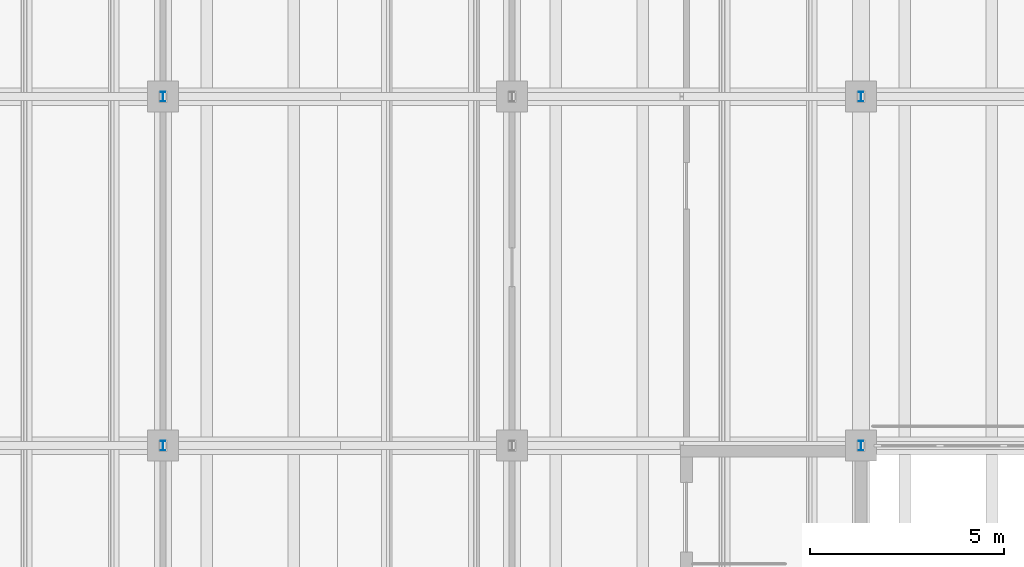
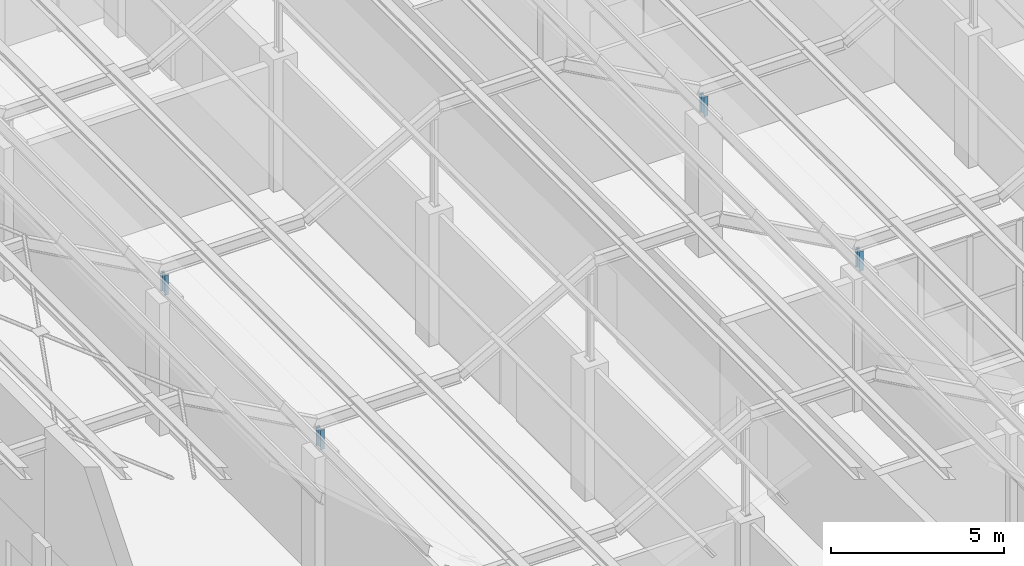
# One storey, part 225 of 437: 4 members.
"""IFC4 building model written with IfcOpenShell, lengths in metres."""

from ifc_helpers import new_model, si_unit, direction, frame, origin, origin_2d, place, context, subcontext, project, spatial, i_section, extrude, material, material_profile, profile_set, type_object, element, save


model = new_model("IFC4")

# Units and contexts
model_context = context("Model", 3, precision=1e-05, world=origin(), true_north=direction((0.0, 1.0)))
body_context = subcontext(model_context, "Body", "Model", "MODEL_VIEW")
ifc_project = project(units=[si_unit("LENGTHUNIT", "METRE"), si_unit("AREAUNIT", "SQUARE_METRE"), si_unit("VOLUMEUNIT", "CUBIC_METRE"), si_unit("PLANEANGLEUNIT", "RADIAN"), si_unit("MASSUNIT", "GRAM", prefix="KILO")], contexts=[model_context])

# Site, building, storey
site_placement = place(None, origin())
site = spatial("IfcSite", under=ifc_project, at=site_placement, CompositionType="ELEMENT")
building_placement = place(site_placement, origin())
building = spatial("IfcBuilding", under=site, at=building_placement, Name="Opaline Strait Convention Centre", CompositionType="ELEMENT")
storey_placement = place(building_placement, frame((0.0, 0.0, 11.5)))
storey = spatial("IfcBuildingStorey", under=building, at=storey_placement, Name="L02", CompositionType="ELEMENT", Elevation=11.5)

# Members
ifc_material = material(Name="Steel Q355B", Category="steel")
ifc_material_profile = material_profile(ifc_material, i_section(OverallWidth=0.125, OverallDepth=0.25, WebThickness=0.006103515625, FlangeThickness=0.009033203125, FilletRadius=0.008056640625, at=origin_2d()), Name="HN 250x125x6x9")
ifc_profile_set = profile_set([ifc_material_profile], Name="Steel Q355B")
member_type = type_object("IfcMemberType", Name="Roof post HN 250x125x6x9", PredefinedType="STRUT", material=ifc_profile_set)
for number, where, z_axis, x_axis, name in (
    (1, (18.0, 63.0, 4.68994140625), (0.0, 0.0, 1.0), (1.0, 0.0, 0.0), "RP1 roof post at 18/63"),
    (2, (36.0, 63.0, 4.68994140625), (0.0, 0.0, 1.0), (1.0, 0.0, 0.0), "RP1 roof post at 36/63"),
    (3, (18.0, 72.0, 4.68994140625), (0.0, 0.0, 1.0), (1.0, 0.0, 0.0), "RP1 roof post at 18/72"),
    (4, (36.0, 72.0, 4.68994140625), (0.0, 0.0, 1.0), (1.0, 0.0, 0.0), "RP1 roof post at 36/72"),
):
    element("IfcMember", number, at=place(storey_placement, frame(where, z_axis=z_axis, x_axis=x_axis)), inside=storey, type_object=member_type, Name=name, PredefinedType="STRUT", context=body_context, shape_type="SweptSolid", body=[
        extrude(i_section(OverallWidth=0.125, OverallDepth=0.25, WebThickness=0.006103515625, FlangeThickness=0.009033203125, FilletRadius=0.008056640625, at=origin_2d()), origin(), (0.0, 0.0, 1.0), 0.695068359375),
    ])

save(model, "model.ifc")
